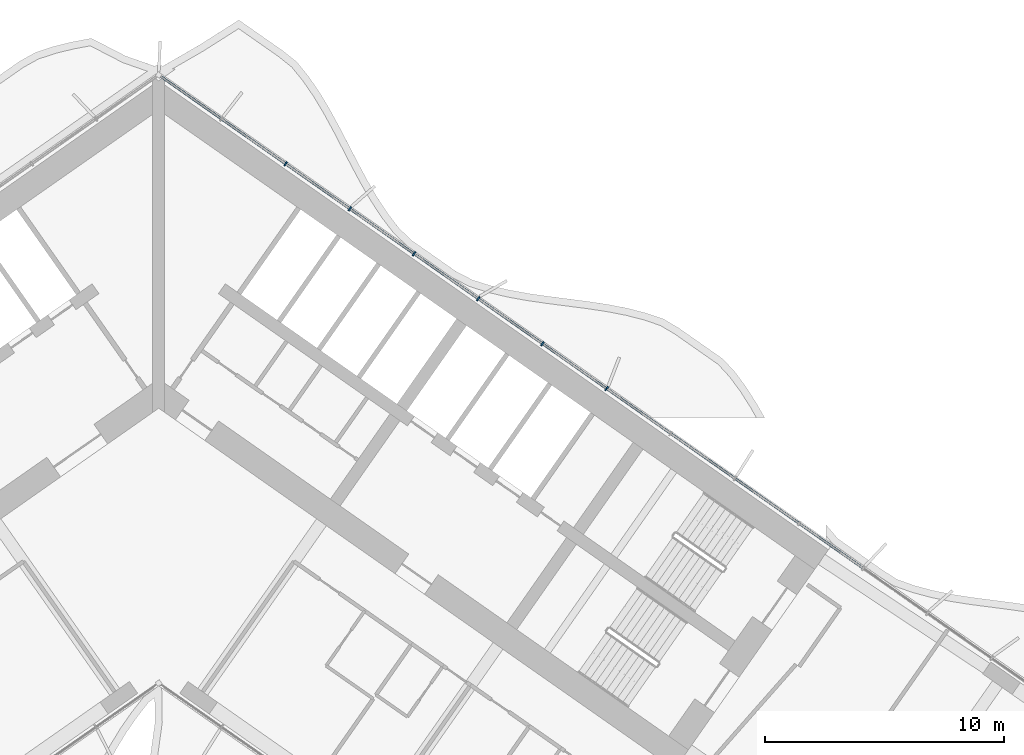
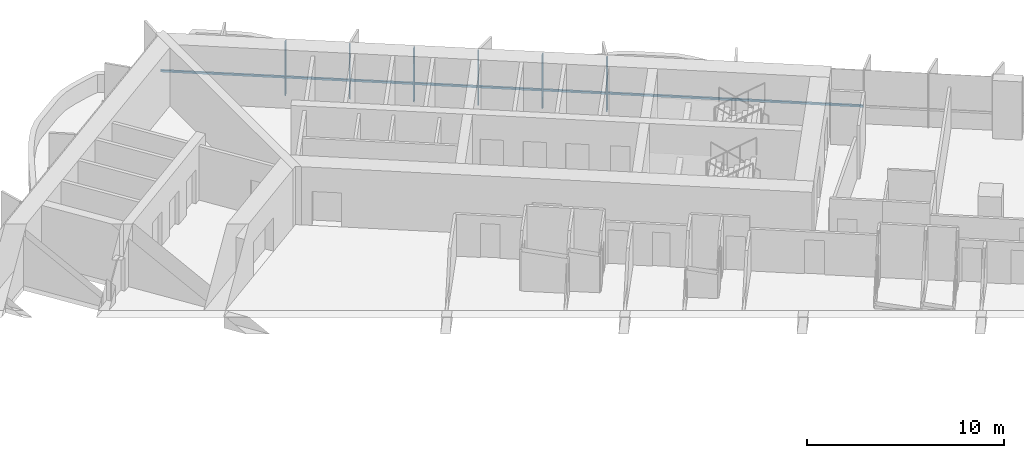
# One storey, part 8 of 24: 7 members, 1 element without a shape of its own.
"""IFC4 building model written with IfcOpenShell, lengths in metres."""

import ifcopenshell
import ifcopenshell.guid

model = None  # the IFC model being written
_history = None  # IfcOwnerHistory: only IFC2X3 demands one
_inside = {}  # id of a spatial element -> (the spatial element, [elements in it])
_under = {}  # id of a project, library or spatial element -> (it, [spatial elements below it])
_declared = {}  # id of a project -> (the project, [libraries it declares])
_typed = {}  # id of a type object -> (the type object, [elements of that type])
_made_of = {}  # id of a material, layer set ... -> (it, [elements and type objects made of it])


def new_model(schema):
    """Start an empty IFC model of exactly this schema.

    Asked for "IFC4X3", IfcOpenShell would pick the latest addendum, in which some entities
    have other attributes; the version numbers below select the first issue.
    IFC2X3 requires an IfcOwnerHistory on every rooted entity: one is made here for all.
    """
    global model, _history
    if schema == "IFC4X3":
        model = ifcopenshell.file(schema_version=(4, 3, 0, 0))
    else:
        model = ifcopenshell.file(schema=schema)
    _inside.clear()
    _under.clear()
    _declared.clear()
    _typed.clear()
    _made_of.clear()
    _history = None
    if model.schema == "IFC2X3":
        org = make("IfcOrganization", Name="unknown")
        user = make(
            "IfcPersonAndOrganization",
            ThePerson=make("IfcPerson", FamilyName="unknown"),
            TheOrganization=org,
        )
        app = make(
            "IfcApplication",
            ApplicationDeveloper=org,
            Version="unknown",
            ApplicationFullName="unknown",
            ApplicationIdentifier="unknown",
        )
        _history = make(
            "IfcOwnerHistory",
            OwningUser=user,
            OwningApplication=app,
            ChangeAction="ADDED",
            CreationDate=0,
        )
    return model


def make(cls, **values):
    """One entity of the class cls with the attributes given. An attribute that is None is left unset."""
    return model.create_entity(
        cls, **{name: value for name, value in values.items() if value is not None}
    )


def rooted(cls, **values):
    """An entity with a GlobalId (a new one), such as an element, a storey or a relation."""
    return make(cls, GlobalId=ifcopenshell.guid.new(), OwnerHistory=_history, **values)


def si_unit(unit_type, name, prefix=None):
    """IfcSIUnit, for example si_unit("LENGTHUNIT", "METRE", prefix="MILLI")."""
    return make("IfcSIUnit", UnitType=unit_type, Prefix=prefix, Name=name)


def assignment(units):
    """IfcUnitAssignment: the units of a project."""
    return None if units is None else make("IfcUnitAssignment", Units=units)


def point(xyz):
    """IfcCartesianPoint."""
    return None if xyz is None else make("IfcCartesianPoint", Coordinates=xyz)


def direction(xyz):
    """IfcDirection."""
    return None if xyz is None else make("IfcDirection", DirectionRatios=xyz)


def frame(location, z_axis=None, x_axis=None):
    """IfcAxis2Placement3D, a coordinate frame: its origin and axes. An axis left out is left unset."""
    return make(
        "IfcAxis2Placement3D",
        Location=point(location),
        Axis=direction(z_axis),
        RefDirection=direction(x_axis),
    )


def frame_2d(location, x_axis=None):
    """IfcAxis2Placement2D, a coordinate frame in the plane: its origin and x axis."""
    return make(
        "IfcAxis2Placement2D", Location=point(location), RefDirection=direction(x_axis)
    )


def origin():
    """The frame at (0, 0, 0) with its axes left unset."""
    return frame((0.0, 0.0, 0.0))


def origin_2d():
    """The frame at (0, 0) in the plane with its x axis left unset."""
    return frame_2d((0.0, 0.0))


def place(relative_to, where):
    """IfcLocalPlacement: puts the frame where relative to a parent placement (None: the world)."""
    return make(
        "IfcLocalPlacement", PlacementRelTo=relative_to, RelativePlacement=where
    )


def context(
    kind, dimensions, precision=None, world=None, true_north=None, identifier=None
):
    """IfcGeometricRepresentationContext, for example the 3D "Model" context."""
    return make(
        "IfcGeometricRepresentationContext",
        ContextIdentifier=identifier,
        ContextType=kind,
        CoordinateSpaceDimension=dimensions,
        Precision=precision,
        WorldCoordinateSystem=world,
        TrueNorth=true_north,
    )


def subcontext(parent, identifier, kind, view, scale=None):
    """IfcGeometricRepresentationSubContext, for example "Body" below "Model"."""
    return make(
        "IfcGeometricRepresentationSubContext",
        ContextIdentifier=identifier,
        ContextType=kind,
        ParentContext=parent,
        TargetScale=scale,
        TargetView=view,
    )


def project(units=None, contexts=None):
    """IfcProject with its units and contexts."""
    return rooted(
        "IfcProject",
        Name="project",
        RepresentationContexts=contexts,
        UnitsInContext=assignment(units),
    )


def spatial(cls, under=None, at=None, **own):
    """A site, building, storey or space (cls), placed at a placement, below another one or the project."""
    s = rooted(cls, ObjectPlacement=at, **own)
    if under is not None:
        _under.setdefault(under.id(), (under, []))[1].append(s)
    return s


def profile(cls, at=None, kind="AREA", **sizes):
    """A parametric profile (cls). Its sizes go by their IFC names, for example OverallWidth=200.0."""
    return make(cls, ProfileType=kind, Position=at, **sizes)


def rectangle(**sizes):
    """IfcRectangleProfileDef."""
    return profile("IfcRectangleProfileDef", **sizes)


def extrude(swept, where, along, depth):
    """IfcExtrudedAreaSolid: the profile swept, set in the frame where, extruded along a direction by depth."""
    return make(
        "IfcExtrudedAreaSolid",
        SweptArea=swept,
        Position=where,
        ExtrudedDirection=direction(along),
        Depth=depth,
    )


def shape(context_of_items, identifier, shape_type, items):
    """IfcShapeRepresentation: the items that make up one representation, for example the "Body"."""
    return make(
        "IfcShapeRepresentation",
        ContextOfItems=context_of_items,
        RepresentationIdentifier=identifier,
        RepresentationType=shape_type,
        Items=items,
    )


def material(Name=None, Category=None):
    """IfcMaterial."""
    return make("IfcMaterial", Name=Name, Category=Category)


def material_profile(
    of_material, cross_section, Name=None, Category=None, Priority=None
):
    """IfcMaterialProfile: a cross section and its material."""
    return make(
        "IfcMaterialProfile",
        Name=Name,
        Material=of_material,
        Profile=cross_section,
        Priority=Priority,
        Category=Category,
    )


def profile_set(profiles, Name=None, composite=None):
    """IfcMaterialProfileSet."""
    return make(
        "IfcMaterialProfileSet",
        Name=Name,
        MaterialProfiles=profiles,
        CompositeProfile=composite,
    )


def made_of(thing, what):
    """Note that an element or type object is made of a material, layer set ...; save() writes the relation."""
    if what is not None:
        _made_of.setdefault(what.id(), (what, []))[1].append(thing)
    return thing


def type_object(cls, material=None, **own):
    """A type object (cls), such as IfcWallType, which elements share."""
    return made_of(rooted(cls, **own), material)


def element(
    cls,
    number,
    at=None,
    inside=None,
    cuts=None,
    type_object=None,
    material=None,
    context=None,
    identifier="Body",
    shape_type=None,
    held_by="IfcProductDefinitionShape",
    body=None,
    shapes=None,
    **own,
):
    """One element of the class cls, such as IfcWall. Its Tag is "e" and its number.

    at: its placement. inside: the storey or other place that contains it. cuts: it is an
    opening in that element (IfcRelVoidsElement). A single representation is given by context,
    identifier, shape_type and body (its items); several are given by shapes. held_by: the class
    of the entity that holds the representations. save() writes the other relations.
    """
    e = rooted(cls, Tag="e%d" % number, ObjectPlacement=at, **own)
    if body is not None:
        shapes = [shape(context, identifier, shape_type, body)]
    if shapes is not None:
        e.Representation = make(held_by, Representations=shapes)
    if inside is not None:
        _inside.setdefault(inside.id(), (inside, []))[1].append(e)
    if cuts is not None:
        rooted(
            "IfcRelVoidsElement", RelatingBuildingElement=cuts, RelatedOpeningElement=e
        )
    if type_object is not None:
        _typed.setdefault(type_object.id(), (type_object, []))[1].append(e)
    return made_of(e, material)


def aggregate(whole, parts):
    """IfcRelAggregates: a whole, such as a stair, and the parts it consists of."""
    return rooted("IfcRelAggregates", RelatingObject=whole, RelatedObjects=parts)


def save(model, path):
    """Write the relations noted so far, then the file.

    IfcRelAggregates (storeys below a building ...), IfcRelContainedInSpatialStructure (elements
    in a storey), IfcRelDefinesByType, IfcRelAssociatesMaterial and IfcRelDeclares: one each for
    every whole, place, type object, material and project.
    """
    for whole, parts in _under.values():
        aggregate(whole, parts)
    for where, things in _inside.values():
        rooted(
            "IfcRelContainedInSpatialStructure",
            RelatedElements=things,
            RelatingStructure=where,
        )
    for kind, things in _typed.values():
        rooted("IfcRelDefinesByType", RelatedObjects=things, RelatingType=kind)
    for what, things in _made_of.values():
        rooted("IfcRelAssociatesMaterial", RelatedObjects=things, RelatingMaterial=what)
    for by, libraries in _declared.values():
        rooted("IfcRelDeclares", RelatingContext=by, RelatedDefinitions=libraries)
    model.write(path)


model = new_model("IFC4")

# Units and contexts
model_context = context("Model", 3, precision=1e-05, world=origin(), true_north=direction((0.0, 1.0)))
body_context = subcontext(model_context, "Body", "Model", "MODEL_VIEW")
ifc_project = project(units=[si_unit("LENGTHUNIT", "METRE"), si_unit("AREAUNIT", "SQUARE_METRE"), si_unit("VOLUMEUNIT", "CUBIC_METRE"), si_unit("PLANEANGLEUNIT", "RADIAN"), si_unit("MASSUNIT", "GRAM", prefix="KILO")], contexts=[model_context])

# Site, building, storey
site_placement = place(None, origin())
site = spatial("IfcSite", under=ifc_project, at=site_placement, CompositionType="ELEMENT")
building_placement = place(site_placement, origin())
building = spatial("IfcBuilding", under=site, at=building_placement, Name="Tel Ilan Convention Tower", CompositionType="ELEMENT")
storey_placement = place(building_placement, frame((0.0, 0.0, 65.300048828125)))
storey = spatial("IfcBuildingStorey", under=building, at=storey_placement, Name="L11", CompositionType="ELEMENT", Elevation=65.300048828125)

# Curtain wall, members
ifc_material_1 = material(Name="Aluminium, bronze anodised", Category="aluminium")
curtain_wall_type = type_object("IfcCurtainWallType", Name="CW2 STICK CURTAIN WALL, SPANDREL PANELS", PredefinedType="NOTDEFINED", material=ifc_material_1)
curtain_wall_placement = place(storey_placement, origin())
curtain_wall = element("IfcCurtainWall", 1, at=curtain_wall_placement, inside=storey, type_object=curtain_wall_type, Name="Curtain wall CW2-12.01", PredefinedType="NOTDEFINED")
ifc_material_2 = material(Name="Aluminium, bronze anodised", Category="aluminium")
ifc_material_profile_1 = material_profile(ifc_material_2, rectangle(XDim=0.06005859375, YDim=0.199951171875, at=origin_2d()), Name="CW MULLION 60x200")
ifc_profile_set_1 = profile_set([ifc_material_profile_1], Name="Aluminium, bronze anodised")
member_type_1 = type_object("IfcMemberType", Name="CW MULLION 60x200", PredefinedType="MULLION", material=ifc_profile_set_1)
member_1_placement = place(storey_placement, frame((18.70458984375, -0.401123046875, 0.0), z_axis=(0.0, 0.0, 1.0), x_axis=(-0.819152044289, 0.573576436351, 0.0)))
member_1 = element("IfcMember", 2, at=member_1_placement, type_object=member_type_1, Name="Mullion", PredefinedType="MULLION", context=body_context, shape_type="SweptSolid", body=[
    extrude(rectangle(XDim=0.06005859375, YDim=0.199951171875, at=origin_2d()), origin(), (0.0, 0.0, 1.0), 3.320068359375),
])
member_2_placement = place(storey_placement, frame((16.024169921875, 1.475830078125, 0.0), z_axis=(0.0, 0.0, 1.0), x_axis=(-0.819152044289, 0.573576436351, 0.0)))
member_2 = element("IfcMember", 3, at=member_2_placement, type_object=member_type_1, Name="Mullion", PredefinedType="MULLION", context=body_context, shape_type="SweptSolid", body=[
    extrude(rectangle(XDim=0.06005859375, YDim=0.199951171875, at=origin_2d()), origin(), (0.0, 0.0, 1.0), 3.320068359375),
])
member_3_placement = place(storey_placement, frame((13.343994140625, 3.3525390625, 0.0), z_axis=(0.0, 0.0, 1.0), x_axis=(-0.819152044289, 0.573576436351, 0.0)))
member_3 = element("IfcMember", 4, at=member_3_placement, type_object=member_type_1, Name="Mullion", PredefinedType="MULLION", context=body_context, shape_type="SweptSolid", body=[
    extrude(rectangle(XDim=0.06005859375, YDim=0.199951171875, at=origin_2d()), origin(), (0.0, 0.0, 1.0), 3.320068359375),
])
member_4_placement = place(storey_placement, frame((10.663818359375, 5.229248046875, 0.0), z_axis=(0.0, 0.0, 1.0), x_axis=(-0.819152044289, 0.573576436351, 0.0)))
member_4 = element("IfcMember", 5, at=member_4_placement, type_object=member_type_1, Name="Mullion", PredefinedType="MULLION", context=body_context, shape_type="SweptSolid", body=[
    extrude(rectangle(XDim=0.06005859375, YDim=0.199951171875, at=origin_2d()), origin(), (0.0, 0.0, 1.0), 3.320068359375),
])
member_5_placement = place(storey_placement, frame((7.9833984375, 7.10595703125, 0.0), z_axis=(0.0, 0.0, 1.0), x_axis=(-0.819152044289, 0.573576436351, 0.0)))
member_5 = element("IfcMember", 6, at=member_5_placement, type_object=member_type_1, Name="Mullion", PredefinedType="MULLION", context=body_context, shape_type="SweptSolid", body=[
    extrude(rectangle(XDim=0.06005859375, YDim=0.199951171875, at=origin_2d()), origin(), (0.0, 0.0, 1.0), 3.320068359375),
])
member_6_placement = place(storey_placement, frame((5.30322265625, 8.982666015625, 0.0), z_axis=(0.0, 0.0, 1.0), x_axis=(-0.819152044289, 0.573576436351, 0.0)))
member_6 = element("IfcMember", 7, at=member_6_placement, type_object=member_type_1, Name="Mullion", PredefinedType="MULLION", context=body_context, shape_type="SweptSolid", body=[
    extrude(rectangle(XDim=0.06005859375, YDim=0.199951171875, at=origin_2d()), origin(), (0.0, 0.0, 1.0), 3.320068359375),
])
ifc_material_3 = material(Name="Aluminium, bronze anodised", Category="aluminium")
ifc_material_profile_2 = material_profile(ifc_material_3, rectangle(XDim=0.10009765625, YDim=0.1201171875, at=origin_2d()), Name="CW TRANSOM 100x120")
ifc_profile_set_2 = profile_set([ifc_material_profile_2], Name="Aluminium, bronze anodised")
member_type_2 = type_object("IfcMemberType", Name="CW TRANSOM 100x120", PredefinedType="USERDEFINED", material=ifc_profile_set_2)
member_7_placement = place(storey_placement, frame((29.401123046875, -7.890869140625, 1.099853515625), z_axis=(-0.81915076999, 0.573578256234, 0.0), x_axis=(-0.573578256234, -0.81915076999, 0.0)))
member_7 = element("IfcMember", 8, at=member_7_placement, type_object=member_type_2, Name="Transom", ObjectType="TRANSOM", PredefinedType="USERDEFINED", context=body_context, shape_type="SweptSolid", body=[
    extrude(rectangle(XDim=0.10009765625, YDim=0.1201171875, at=origin_2d()), origin(), (0.0, 0.0, 1.0), 35.76220703125),
])
aggregate(curtain_wall, [member_1, member_2, member_3, member_4, member_5, member_6, member_7])

save(model, "model.ifc")
